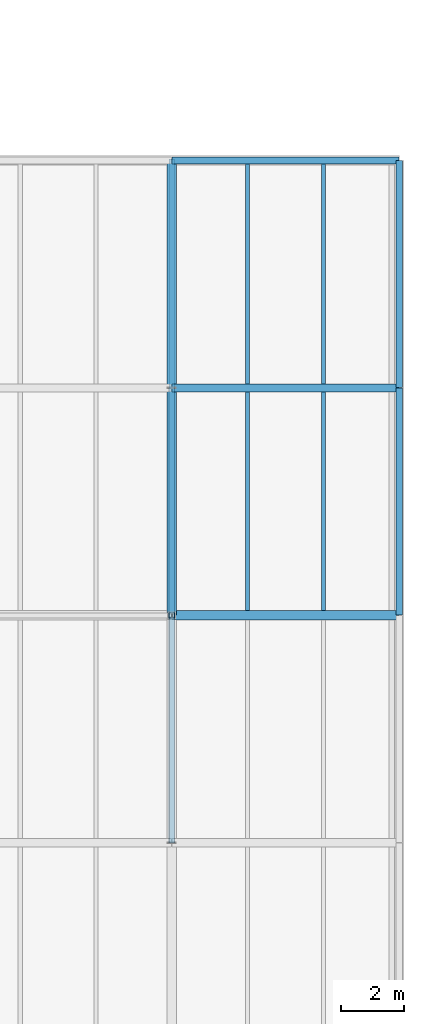
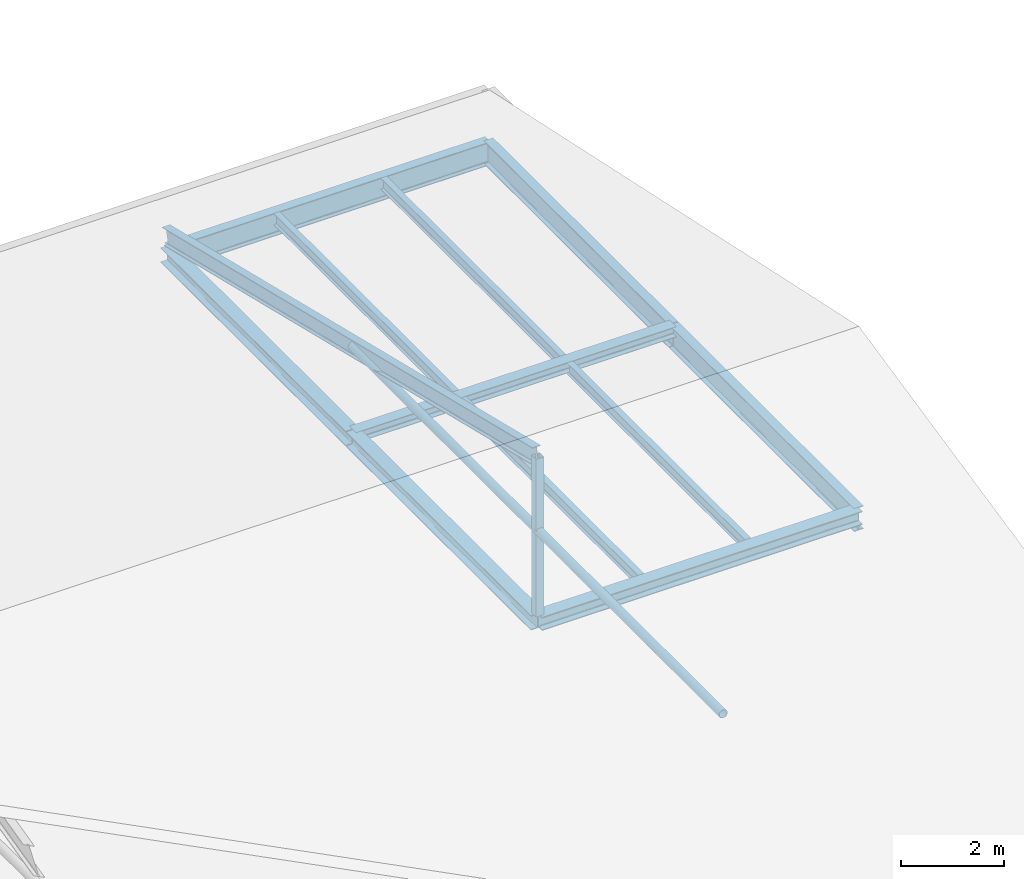
# One storey, part 20 of 66: 11 beams, 3 members.
"""IFC4 building model written with IfcOpenShell, lengths in metres."""

from ifc_helpers import new_model, si_unit, direction, frame, origin, origin_2d, place, context, subcontext, project, spatial, hollow_rectangle, hollow_circle, i_section, extrude, material, material_profile, profile_set, type_object, element, save


model = new_model("IFC4")

# Units and contexts
model_context = context("Model", 3, precision=1e-05, world=origin(), true_north=direction((0.0, 1.0)))
body_context = subcontext(model_context, "Body", "Model", "MODEL_VIEW")
ifc_project = project(units=[si_unit("LENGTHUNIT", "METRE"), si_unit("AREAUNIT", "SQUARE_METRE"), si_unit("VOLUMEUNIT", "CUBIC_METRE"), si_unit("PLANEANGLEUNIT", "RADIAN"), si_unit("MASSUNIT", "GRAM", prefix="KILO")], contexts=[model_context])

# Site, building, storey
site_placement = place(None, origin())
site = spatial("IfcSite", under=ifc_project, at=site_placement, CompositionType="ELEMENT")
building_placement = place(site_placement, origin())
building = spatial("IfcBuilding", under=site, at=building_placement, Name="Narikvali Park Central Library", CompositionType="ELEMENT")
storey_placement = place(building_placement, frame((0.0, 0.0, 18.60009765625)))
storey = spatial("IfcBuildingStorey", under=building, at=storey_placement, Name="L04", CompositionType="ELEMENT", Elevation=18.60009765625)

# Member
ifc_material = material(Name="Steel S355", Category="steel")
ifc_material_profile_1 = material_profile(ifc_material, hollow_rectangle(XDim=0.179931640625, YDim=0.179931640625, WallThickness=0.010009765625, at=origin_2d()), Name="SHS 180x180x10")
ifc_profile_set_1 = profile_set([ifc_material_profile_1], Name="Steel S355")
member_type_1 = type_object("IfcMemberType", Name="Auditorium Truss Vertical SHS180", PredefinedType="COLLAR", material=ifc_profile_set_1)
member_1_placement = place(storey_placement, frame((158.39990234375, 14.39990234375, -0.239990234375), z_axis=(0.0, 0.0, 1.0), x_axis=(1.0, 0.0, 0.0)))
element("IfcMember", 1, at=member_1_placement, inside=storey, type_object=member_type_1, Name="V6 Roof Truss King Strut 5", PredefinedType="COLLAR", context=body_context, shape_type="SweptSolid", body=[
    extrude(hollow_rectangle(XDim=0.179931640625, YDim=0.179931640625, WallThickness=0.010009765625, at=origin_2d()), origin(), (0.0, 0.0, 1.0), 3.739990234375),
])

# Beams
ifc_material_profile_2 = material_profile(ifc_material, i_section(OverallWidth=0.135009765625, OverallDepth=0.27001953125, WebThickness=0.006591796875, FlangeThickness=0.01025390625, FilletRadius=0.014892578125, at=origin_2d()), Name="IPE 270")
ifc_profile_set_2 = profile_set([ifc_material_profile_2], Name="Steel S355")
beam_type_1 = type_object("IfcBeamType", Name="Composite Floor Joist IPE270", PredefinedType="JOIST", material=ifc_profile_set_2)
for number, where, z_axis, x_axis, name in (
    (2, (160.800048828125, 14.550048828125, -0.375), (0.0, 1.0, 0.0), (-1.0, 0.0, 0.0), "V6 L04 Composite Joist 1"),
    (3, (163.199951171875, 14.550048828125, -0.375), (0.0, 1.0, 0.0), (-1.0, 0.0, 0.0), "V6 L04 Composite Joist 2"),
):
    element("IfcBeam", number, at=place(storey_placement, frame(where, z_axis=z_axis, x_axis=x_axis)), inside=storey, type_object=beam_type_1, Name=name, PredefinedType="JOIST", context=body_context, shape_type="SweptSolid", body=[
        extrude(i_section(OverallWidth=0.135009765625, OverallDepth=0.27001953125, WebThickness=0.006591796875, FlangeThickness=0.01025390625, FilletRadius=0.014892578125, at=origin_2d()), origin(), (0.0, 0.0, 1.0), 6.919921875),
    ])
for number, where, z_axis, x_axis, name in (
    (4, (160.800048828125, 21.72998046875, -0.375), (0.0, 1.0, 0.0), (-1.0, 0.0, 0.0), "V6 L04 Composite Joist 1"),
    (5, (163.199951171875, 21.72998046875, -0.375), (0.0, 1.0, 0.0), (-1.0, 0.0, 0.0), "V6 L04 Composite Joist 2"),
):
    element("IfcBeam", number, at=place(storey_placement, frame(where, z_axis=z_axis, x_axis=x_axis)), inside=storey, type_object=beam_type_1, Name=name, PredefinedType="JOIST", context=body_context, shape_type="SweptSolid", body=[
        extrude(i_section(OverallWidth=0.135009765625, OverallDepth=0.27001953125, WebThickness=0.006591796875, FlangeThickness=0.01025390625, FilletRadius=0.014892578125, at=origin_2d()), origin(), (0.0, 0.0, 1.0), 6.965087890625),
    ])

# Members
ifc_material_profile_3 = material_profile(ifc_material, i_section(OverallWidth=0.179931640625, OverallDepth=0.39990234375, WebThickness=0.008544921875, FlangeThickness=0.013427734375, FilletRadius=0.02099609375, at=origin_2d()), Name="IPE 400")
ifc_profile_set_3 = profile_set([ifc_material_profile_3], Name="Steel S355")
member_type_2 = type_object("IfcMemberType", Name="Long-Span Pavilion Rafter IPE400", PredefinedType="RAFTER", material=ifc_profile_set_3)
member_2_placement = place(storey_placement, frame((158.39990234375, 14.39990234375, 3.5), z_axis=(0.0, 0.971710023304, -0.236177117035), x_axis=(-1.0, 0.0, 0.0)))
element("IfcMember", 6, at=member_2_placement, inside=storey, type_object=member_type_2, Name="V6 Roof Rafter N 5", PredefinedType="RAFTER", context=body_context, shape_type="SweptSolid", body=[
    extrude(i_section(OverallWidth=0.179931640625, OverallDepth=0.39990234375, WebThickness=0.008544921875, FlangeThickness=0.013427734375, FilletRadius=0.02099609375, at=origin_2d()), origin(), (0.0, 0.0, 1.0), 14.8193359375),
])
ifc_material_profile_4 = material_profile(ifc_material, hollow_circle(Radius=0.096923828125, WallThickness=0.010009765625, at=origin_2d()), Name="CHS 193.7x10")
ifc_profile_set_4 = profile_set([ifc_material_profile_4], Name="Steel S355")
member_type_3 = type_object("IfcMemberType", Name="Pavilion Roof Collar Tie CHS193", PredefinedType="COLLAR", material=ifc_profile_set_4)
member_3_placement = place(storey_placement, frame((158.39990234375, 7.199951171875, 1.75), z_axis=(0.0, 1.0, 0.0), x_axis=(-1.0, 0.0, 0.0)))
element("IfcMember", 7, at=member_3_placement, inside=storey, type_object=member_type_3, Name="V6 Roof Collar Tie 5", PredefinedType="COLLAR", context=body_context, shape_type="SweptSolid", body=[
    extrude(hollow_circle(Radius=0.096923828125, WallThickness=0.010009765625, at=origin_2d()), origin(), (0.0, 0.0, 1.0), 14.400146484375),
])

# Beams
ifc_material_profile_5 = material_profile(ifc_material, i_section(OverallWidth=0.300048828125, OverallDepth=0.320068359375, WebThickness=0.011474609375, FlangeThickness=0.0205078125, FilletRadius=0.027099609375, at=origin_2d()), Name="HEB 320")
ifc_profile_set_5 = profile_set([ifc_material_profile_5], Name="Steel S355")
beam_type_2 = type_object("IfcBeamType", Name="Pavilion Roof Girder HEB320", PredefinedType="BEAM", material=ifc_profile_set_5)
beam_1_placement = place(storey_placement, frame((158.407958984375, 14.39990234375, -0.400146484375), z_axis=(1.0, 0.0, 0.0), x_axis=(0.0, 1.0, 0.0)))
element("IfcBeam", 8, at=beam_1_placement, inside=storey, type_object=beam_type_2, Name="V6 L04 Girder X", PredefinedType="BEAM", context=body_context, shape_type="SweptSolid", body=[
    extrude(i_section(OverallWidth=0.300048828125, OverallDepth=0.320068359375, WebThickness=0.011474609375, FlangeThickness=0.0205078125, FilletRadius=0.027099609375, at=origin_2d()), origin(), (0.0, 0.0, 1.0), 7.18408203125),
])
ifc_material_profile_6 = material_profile(ifc_material, i_section(OverallWidth=0.2099609375, OverallDepth=0.550048828125, WebThickness=0.010986328125, FlangeThickness=0.01708984375, FilletRadius=0.02392578125, at=origin_2d()), Name="IPE 550")
ifc_profile_set_6 = profile_set([ifc_material_profile_6], Name="Steel S355")
beam_type_3 = type_object("IfcBeamType", Name="Perimeter Spandrel IPE550", PredefinedType="SPANDREL", material=ifc_profile_set_6)
for number, where, z_axis, x_axis, name in (
    (9, (158.407958984375, 28.800048828125, -0.51513671875), (1.0, 0.0, 0.0), (0.0, 1.0, 0.0), "V6 L04 Girder X"),
    (10, (165.60009765625, 14.407958984375, -0.51513671875), (0.0, 1.0, 0.0), (-1.0, 0.0, 0.0), "V6 L04 Girder Y"),
    (11, (165.60009765625, 21.60791015625, -0.51513671875), (0.0, 1.0, 0.0), (-1.0, 0.0, 0.0), "V6 L04 Girder Y"),
):
    element("IfcBeam", number, at=place(storey_placement, frame(where, z_axis=z_axis, x_axis=x_axis)), inside=storey, type_object=beam_type_3, Name=name, PredefinedType="SPANDREL", context=body_context, shape_type="SweptSolid", body=[
        extrude(i_section(OverallWidth=0.2099609375, OverallDepth=0.550048828125, WebThickness=0.010986328125, FlangeThickness=0.01708984375, FilletRadius=0.02392578125, at=origin_2d()), origin(), (0.0, 0.0, 1.0), 7.18408203125),
    ])
ifc_material_profile_7 = material_profile(ifc_material, i_section(OverallWidth=0.260009765625, OverallDepth=0.25, WebThickness=0.007568359375, FlangeThickness=0.012451171875, FilletRadius=0.02392578125, at=origin_2d()), Name="HEA 260")
ifc_profile_set_7 = profile_set([ifc_material_profile_7], Name="Steel S355")
beam_type_4 = type_object("IfcBeamType", Name="Primary Girder HEA260", PredefinedType="BEAM", material=ifc_profile_set_7)
beam_2_placement = place(storey_placement, frame((158.407958984375, 21.60009765625, -0.364990234375), z_axis=(1.0, 0.0, 0.0), x_axis=(0.0, 1.0, 0.0)))
element("IfcBeam", 12, at=beam_2_placement, inside=storey, type_object=beam_type_4, Name="V6 L04 Girder X", PredefinedType="BEAM", context=body_context, shape_type="SweptSolid", body=[
    extrude(i_section(OverallWidth=0.260009765625, OverallDepth=0.25, WebThickness=0.007568359375, FlangeThickness=0.012451171875, FilletRadius=0.02392578125, at=origin_2d()), origin(), (0.0, 0.0, 1.0), 7.18408203125),
])
ifc_material_profile_8 = material_profile(ifc_material, i_section(OverallWidth=0.300048828125, OverallDepth=0.35009765625, WebThickness=0.010009765625, FlangeThickness=0.017578125, FilletRadius=0.027099609375, at=origin_2d()), Name="HEA 360")
ifc_profile_set_8 = profile_set([ifc_material_profile_8], Name="Steel S355")
beam_type_5 = type_object("IfcBeamType", Name="Primary Girder HEA360", PredefinedType="BEAM", material=ifc_profile_set_8)
for number, where, z_axis, x_axis, name in (
    (13, (158.39990234375, 14.407958984375, -0.4150390625), (0.0, 1.0, 0.0), (-1.0, 0.0, 0.0), "V6 L04 Girder Y"),
    (14, (158.39990234375, 21.60791015625, -0.4150390625), (0.0, 1.0, 0.0), (-1.0, 0.0, 0.0), "V6 L04 Girder Y"),
):
    element("IfcBeam", number, at=place(storey_placement, frame(where, z_axis=z_axis, x_axis=x_axis)), inside=storey, type_object=beam_type_5, Name=name, PredefinedType="BEAM", context=body_context, shape_type="SweptSolid", body=[
        extrude(i_section(OverallWidth=0.300048828125, OverallDepth=0.35009765625, WebThickness=0.010009765625, FlangeThickness=0.017578125, FilletRadius=0.027099609375, at=origin_2d()), origin(), (0.0, 0.0, 1.0), 7.18408203125),
    ])

save(model, "model.ifc")
